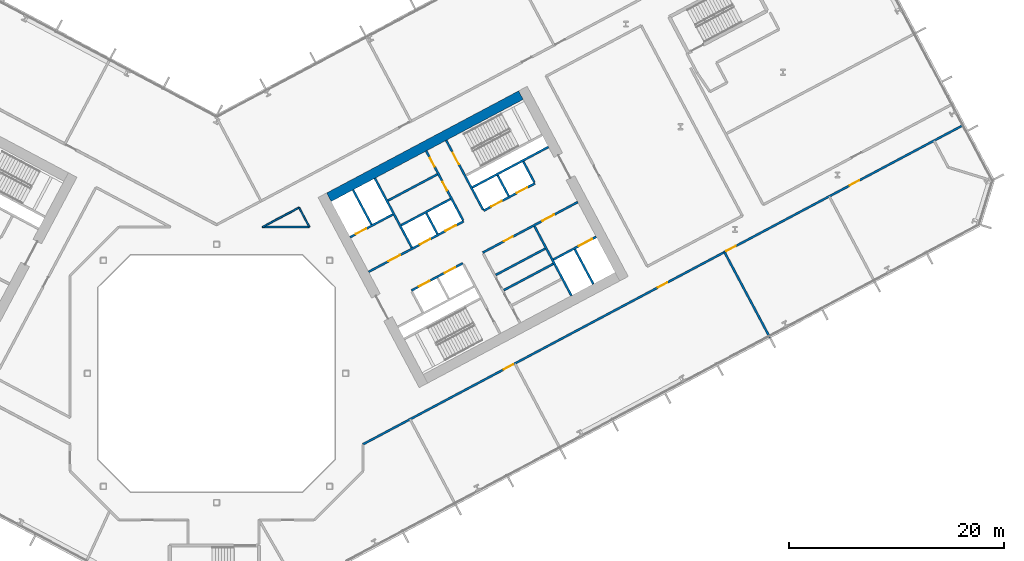
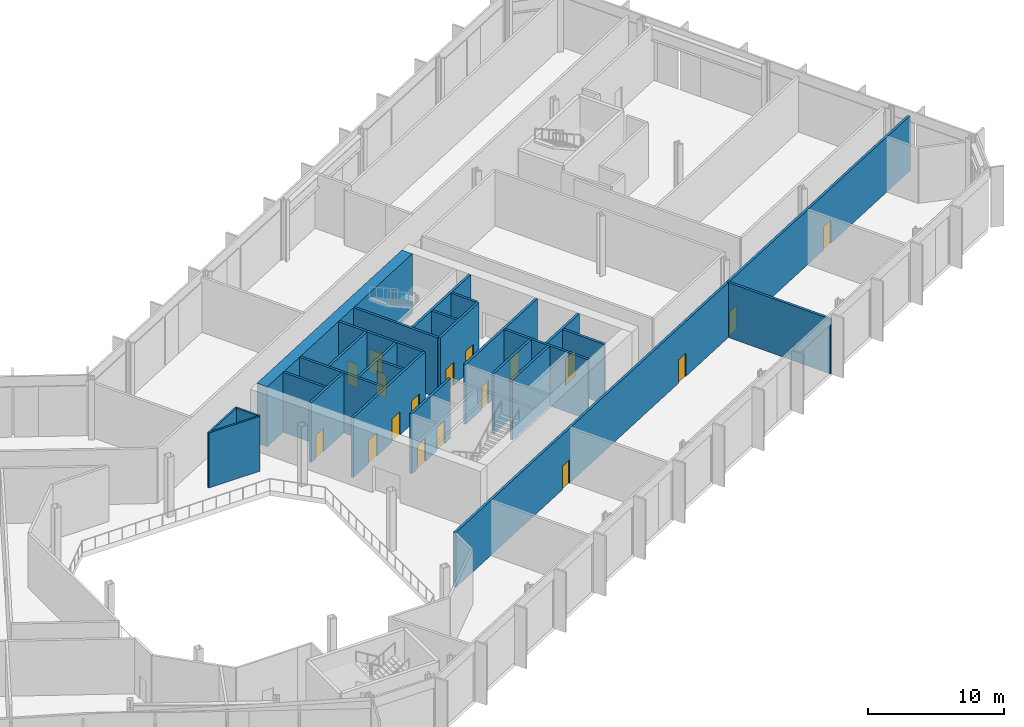
# One storey, part 16 of 31: 26 walls, 18 doors, 18 openings.
"""IFC4 building model written with IfcOpenShell, lengths in metres."""

import ifcopenshell
import ifcopenshell.guid

model = None  # the IFC model being written
_history = None  # IfcOwnerHistory: only IFC2X3 demands one
_inside = {}  # id of a spatial element -> (the spatial element, [elements in it])
_under = {}  # id of a project, library or spatial element -> (it, [spatial elements below it])
_declared = {}  # id of a project -> (the project, [libraries it declares])
_typed = {}  # id of a type object -> (the type object, [elements of that type])
_made_of = {}  # id of a material, layer set ... -> (it, [elements and type objects made of it])


def new_model(schema):
    """Start an empty IFC model of exactly this schema.

    Asked for "IFC4X3", IfcOpenShell would pick the latest addendum, in which some entities
    have other attributes; the version numbers below select the first issue.
    IFC2X3 requires an IfcOwnerHistory on every rooted entity: one is made here for all.
    """
    global model, _history
    if schema == "IFC4X3":
        model = ifcopenshell.file(schema_version=(4, 3, 0, 0))
    else:
        model = ifcopenshell.file(schema=schema)
    _inside.clear()
    _under.clear()
    _declared.clear()
    _typed.clear()
    _made_of.clear()
    _history = None
    if model.schema == "IFC2X3":
        org = make("IfcOrganization", Name="unknown")
        user = make(
            "IfcPersonAndOrganization",
            ThePerson=make("IfcPerson", FamilyName="unknown"),
            TheOrganization=org,
        )
        app = make(
            "IfcApplication",
            ApplicationDeveloper=org,
            Version="unknown",
            ApplicationFullName="unknown",
            ApplicationIdentifier="unknown",
        )
        _history = make(
            "IfcOwnerHistory",
            OwningUser=user,
            OwningApplication=app,
            ChangeAction="ADDED",
            CreationDate=0,
        )
    return model


def make(cls, **values):
    """One entity of the class cls with the attributes given. An attribute that is None is left unset."""
    return model.create_entity(
        cls, **{name: value for name, value in values.items() if value is not None}
    )


def rooted(cls, **values):
    """An entity with a GlobalId (a new one), such as an element, a storey or a relation."""
    return make(cls, GlobalId=ifcopenshell.guid.new(), OwnerHistory=_history, **values)


def si_unit(unit_type, name, prefix=None):
    """IfcSIUnit, for example si_unit("LENGTHUNIT", "METRE", prefix="MILLI")."""
    return make("IfcSIUnit", UnitType=unit_type, Prefix=prefix, Name=name)


def assignment(units):
    """IfcUnitAssignment: the units of a project."""
    return None if units is None else make("IfcUnitAssignment", Units=units)


def point(xyz):
    """IfcCartesianPoint."""
    return None if xyz is None else make("IfcCartesianPoint", Coordinates=xyz)


def direction(xyz):
    """IfcDirection."""
    return None if xyz is None else make("IfcDirection", DirectionRatios=xyz)


def frame(location, z_axis=None, x_axis=None):
    """IfcAxis2Placement3D, a coordinate frame: its origin and axes. An axis left out is left unset."""
    return make(
        "IfcAxis2Placement3D",
        Location=point(location),
        Axis=direction(z_axis),
        RefDirection=direction(x_axis),
    )


def frame_2d(location, x_axis=None):
    """IfcAxis2Placement2D, a coordinate frame in the plane: its origin and x axis."""
    return make(
        "IfcAxis2Placement2D", Location=point(location), RefDirection=direction(x_axis)
    )


def origin():
    """The frame at (0, 0, 0) with its axes left unset."""
    return frame((0.0, 0.0, 0.0))


def place(relative_to, where):
    """IfcLocalPlacement: puts the frame where relative to a parent placement (None: the world)."""
    return make(
        "IfcLocalPlacement", PlacementRelTo=relative_to, RelativePlacement=where
    )


def context(
    kind, dimensions, precision=None, world=None, true_north=None, identifier=None
):
    """IfcGeometricRepresentationContext, for example the 3D "Model" context."""
    return make(
        "IfcGeometricRepresentationContext",
        ContextIdentifier=identifier,
        ContextType=kind,
        CoordinateSpaceDimension=dimensions,
        Precision=precision,
        WorldCoordinateSystem=world,
        TrueNorth=true_north,
    )


def subcontext(parent, identifier, kind, view, scale=None):
    """IfcGeometricRepresentationSubContext, for example "Body" below "Model"."""
    return make(
        "IfcGeometricRepresentationSubContext",
        ContextIdentifier=identifier,
        ContextType=kind,
        ParentContext=parent,
        TargetScale=scale,
        TargetView=view,
    )


def project(units=None, contexts=None):
    """IfcProject with its units and contexts."""
    return rooted(
        "IfcProject",
        Name="project",
        RepresentationContexts=contexts,
        UnitsInContext=assignment(units),
    )


def spatial(cls, under=None, at=None, **own):
    """A site, building, storey or space (cls), placed at a placement, below another one or the project."""
    s = rooted(cls, ObjectPlacement=at, **own)
    if under is not None:
        _under.setdefault(under.id(), (under, []))[1].append(s)
    return s


def profile(cls, at=None, kind="AREA", **sizes):
    """A parametric profile (cls). Its sizes go by their IFC names, for example OverallWidth=200.0."""
    return make(cls, ProfileType=kind, Position=at, **sizes)


def rectangle(**sizes):
    """IfcRectangleProfileDef."""
    return profile("IfcRectangleProfileDef", **sizes)


def extrude(swept, where, along, depth):
    """IfcExtrudedAreaSolid: the profile swept, set in the frame where, extruded along a direction by depth."""
    return make(
        "IfcExtrudedAreaSolid",
        SweptArea=swept,
        Position=where,
        ExtrudedDirection=direction(along),
        Depth=depth,
    )


def shape(context_of_items, identifier, shape_type, items):
    """IfcShapeRepresentation: the items that make up one representation, for example the "Body"."""
    return make(
        "IfcShapeRepresentation",
        ContextOfItems=context_of_items,
        RepresentationIdentifier=identifier,
        RepresentationType=shape_type,
        Items=items,
    )


def material(Name=None, Category=None):
    """IfcMaterial."""
    return make("IfcMaterial", Name=Name, Category=Category)


def layer(
    of_material, thickness, ventilated=None, Name=None, Category=None, Priority=None
):
    """IfcMaterialLayer: one layer of a wall or slab, of a material (None: an air gap)."""
    return make(
        "IfcMaterialLayer",
        Material=of_material,
        LayerThickness=thickness,
        IsVentilated=ventilated,
        Name=Name,
        Category=Category,
        Priority=Priority,
    )


def layer_set(layers, Name=None):
    """IfcMaterialLayerSet."""
    return make("IfcMaterialLayerSet", MaterialLayers=layers, LayerSetName=Name)


def made_of(thing, what):
    """Note that an element or type object is made of a material, layer set ...; save() writes the relation."""
    if what is not None:
        _made_of.setdefault(what.id(), (what, []))[1].append(thing)
    return thing


def type_object(cls, material=None, **own):
    """A type object (cls), such as IfcWallType, which elements share."""
    return made_of(rooted(cls, **own), material)


def element(
    cls,
    number,
    at=None,
    inside=None,
    cuts=None,
    type_object=None,
    material=None,
    context=None,
    identifier="Body",
    shape_type=None,
    held_by="IfcProductDefinitionShape",
    body=None,
    shapes=None,
    **own,
):
    """One element of the class cls, such as IfcWall. Its Tag is "e" and its number.

    at: its placement. inside: the storey or other place that contains it. cuts: it is an
    opening in that element (IfcRelVoidsElement). A single representation is given by context,
    identifier, shape_type and body (its items); several are given by shapes. held_by: the class
    of the entity that holds the representations. save() writes the other relations.
    """
    e = rooted(cls, Tag="e%d" % number, ObjectPlacement=at, **own)
    if body is not None:
        shapes = [shape(context, identifier, shape_type, body)]
    if shapes is not None:
        e.Representation = make(held_by, Representations=shapes)
    if inside is not None:
        _inside.setdefault(inside.id(), (inside, []))[1].append(e)
    if cuts is not None:
        rooted(
            "IfcRelVoidsElement", RelatingBuildingElement=cuts, RelatedOpeningElement=e
        )
    if type_object is not None:
        _typed.setdefault(type_object.id(), (type_object, []))[1].append(e)
    return made_of(e, material)


def fill(opening, filler):
    """IfcRelFillsElement: the door or window that sits in an opening."""
    return rooted(
        "IfcRelFillsElement",
        RelatingOpeningElement=opening,
        RelatedBuildingElement=filler,
    )


def aggregate(whole, parts):
    """IfcRelAggregates: a whole, such as a stair, and the parts it consists of."""
    return rooted("IfcRelAggregates", RelatingObject=whole, RelatedObjects=parts)


def save(model, path):
    """Write the relations noted so far, then the file.

    IfcRelAggregates (storeys below a building ...), IfcRelContainedInSpatialStructure (elements
    in a storey), IfcRelDefinesByType, IfcRelAssociatesMaterial and IfcRelDeclares: one each for
    every whole, place, type object, material and project.
    """
    for whole, parts in _under.values():
        aggregate(whole, parts)
    for where, things in _inside.values():
        rooted(
            "IfcRelContainedInSpatialStructure",
            RelatedElements=things,
            RelatingStructure=where,
        )
    for kind, things in _typed.values():
        rooted("IfcRelDefinesByType", RelatedObjects=things, RelatingType=kind)
    for what, things in _made_of.values():
        rooted("IfcRelAssociatesMaterial", RelatedObjects=things, RelatingMaterial=what)
    for by, libraries in _declared.values():
        rooted("IfcRelDeclares", RelatingContext=by, RelatedDefinitions=libraries)
    model.write(path)


model = new_model("IFC4")

# Units and contexts
model_context = context("Model", 3, precision=1e-05, world=origin(), true_north=direction((0.0, 1.0)))
body_context = subcontext(model_context, "Body", "Model", "MODEL_VIEW")
ifc_project = project(units=[si_unit("LENGTHUNIT", "METRE"), si_unit("AREAUNIT", "SQUARE_METRE"), si_unit("VOLUMEUNIT", "CUBIC_METRE"), si_unit("PLANEANGLEUNIT", "RADIAN"), si_unit("MASSUNIT", "GRAM", prefix="KILO")], contexts=[model_context])

# Site, building, storey
site_placement = place(None, origin())
site = spatial("IfcSite", under=ifc_project, at=site_placement, CompositionType="ELEMENT")
building_placement = place(site_placement, origin())
building = spatial("IfcBuilding", under=site, at=building_placement, Name="Cormorant Relay Tower", CompositionType="ELEMENT")
storey_placement = place(building_placement, frame((0.0, 0.0, 33.800048828125)))
storey = spatial("IfcBuildingStorey", under=building, at=storey_placement, Name="L06", CompositionType="ELEMENT", Elevation=33.800048828125)

# Walls
ifc_material_1 = material(Name="Concrete 40 MPa", Category="concrete")
ifc_layer_1 = layer(ifc_material_1, 0.199951171875)
ifc_layer_set_1 = layer_set([ifc_layer_1], Name="Core internal wall 200")
wall_type_1 = type_object("IfcWallType", Name="Core internal wall 200", PredefinedType="SOLIDWALL", material=ifc_layer_set_1)
for number, where, z_axis, x_axis, name in (
    (1, (20.522216796875, 12.950439453125, 0.0), (0.0, 0.0, 1.0), (-0.469401318492, 0.882984938828, 0.0), "L06 core B shaft and room wall"),
    (2, (27.144287109375, 16.471435546875, 0.0), (0.0, 0.0, 1.0), (-0.469401318492, 0.882984938828, 0.0), "L06 core B shaft and room wall"),
):
    element("IfcWall", number, at=place(storey_placement, frame(where, z_axis=z_axis, x_axis=x_axis)), inside=storey, type_object=wall_type_1, Name=name, PredefinedType="SOLIDWALL", context=body_context, shape_type="SweptSolid", body=[
        extrude(rectangle(XDim=2.199951171875, YDim=0.199951171875, at=frame_2d((1.10009765625, 0.0))), origin(), (0.0, 0.0, 1.0), 5.39990234375),
    ])
for number, where, z_axis, x_axis, name in (
    (3, (26.692138671875, 7.73681640625, 0.0), (0.0, 0.0, 1.0), (0.882953967957, 0.469459572775, 0.0), "L06 core B shaft and room wall"),
    (4, (15.92626953125, 16.056396484375, 0.0), (0.0, 0.0, 1.0), (0.882953967957, 0.469459572775, 0.0), "L06 core B shaft and room wall"),
):
    element("IfcWall", number, at=place(storey_placement, frame(where, z_axis=z_axis, x_axis=x_axis)), inside=storey, type_object=wall_type_1, Name=name, PredefinedType="SOLIDWALL", context=body_context, shape_type="SweptSolid", body=[
        extrude(rectangle(XDim=5.199951171875, YDim=0.199951171875, at=frame_2d((2.60009765625, 0.0))), origin(), (0.0, 0.0, 1.0), 5.39990234375),
    ])
ifc_material_2 = material(Name="Concrete 50 MPa", Category="concrete")
ifc_layer_2 = layer(ifc_material_2, 0.199951171875)
ifc_layer_set_2 = layer_set([ifc_layer_2], Name="Core shaft wall 200")
wall_type_2 = type_object("IfcWallType", Name="Core shaft wall 200", PredefinedType="SHEAR", material=ifc_layer_set_2)
wall_1_placement = place(storey_placement, frame((14.39404296875, 13.825927734375, 0.0), z_axis=(0.0, 0.0, 1.0), x_axis=(-0.469494272526, 0.882935517501, 0.0)))
element("IfcWall", 5, at=wall_1_placement, inside=storey, type_object=wall_type_2, Name="L06 core B shaft wall", PredefinedType="SHEAR", context=body_context, shape_type="SweptSolid", body=[
    extrude(rectangle(XDim=3.64990234375, YDim=0.199951171875, at=frame_2d((1.824951171875, 0.0))), origin(), (0.0, 0.0, 1.0), 5.39990234375),
])
wall_2_placement = place(storey_placement, frame((18.138427734375, 11.682861328125, 0.0), z_axis=(0.0, 0.0, 1.0), x_axis=(-0.469480409012, 0.88294288918, 0.0)))
element("IfcWall", 6, at=wall_2_placement, inside=storey, type_object=wall_type_2, Name="L06 core B shaft wall", PredefinedType="SHEAR", context=body_context, shape_type="SweptSolid", body=[
    extrude(rectangle(XDim=7.300048828125, YDim=0.199951171875, at=frame_2d((3.64990234375, 0.0))), origin(), (0.0, 0.0, 1.0), 5.39990234375),
])

# Wall, openings, doors
wall_3_placement = place(storey_placement, frame((22.90625, 14.218017578125, 0.0), z_axis=(0.0, 0.0, 1.0), x_axis=(-0.469480409012, 0.88294288918, 0.0)))
wall_3 = element("IfcWall", 7, at=wall_3_placement, inside=storey, type_object=wall_type_2, Name="L06 core B shaft wall", PredefinedType="SHEAR", context=body_context, shape_type="SweptSolid", body=[
    extrude(rectangle(XDim=7.300048828125, YDim=0.199951171875, at=frame_2d((3.64990234375, 0.0))), origin(), (0.0, 0.0, 1.0), 5.39990234375),
])
opening_1_placement = place(wall_3_placement, frame((3.14990234375, 0.0, 0.0)))
opening_1 = element("IfcOpeningElement", 8, at=opening_1_placement, cuts=wall_3, Name="Opening CDD-090", PredefinedType="OPENING", context=body_context, shape_type="SweptSolid", body=[
    extrude(rectangle(XDim=0.89990234375, YDim=2.10009765625, at=frame_2d((0.449951171875, 1.050048828125))), frame((0.0, 0.10986328125, 0.0), z_axis=(0.0, -1.0, 0.0), x_axis=(1.0, 0.0, 0.0)), (0.0, 0.0, 1.0), 0.219970703125),
])
opening_2_placement = place(wall_3_placement, frame((5.64990234375, 0.0, 0.0)))
opening_2 = element("IfcOpeningElement", 9, at=opening_2_placement, cuts=wall_3, Name="Opening CDD-091", PredefinedType="OPENING", context=body_context, shape_type="SweptSolid", body=[
    extrude(rectangle(XDim=0.89990234375, YDim=2.10009765625, at=frame_2d((0.449951171875, 1.050048828125))), frame((0.0, 0.10986328125, 0.0), z_axis=(0.0, -1.0, 0.0), x_axis=(1.0, 0.0, 0.0)), (0.0, 0.0, 1.0), 0.219970703125),
])
ifc_material_3 = material(Name="Steel fire door", Category="steel")
door_type_1 = type_object("IfcDoorType", Name="Core room door 900x2100", OperationType="SINGLE_SWING_LEFT", PredefinedType="DOOR", material=ifc_material_3)
door_1_placement = place(opening_1_placement, origin())
door_1 = element("IfcDoor", 10, at=door_1_placement, inside=storey, type_object=door_type_1, Name="Core room door 900x2100", OperationType="SINGLE_SWING_RIGHT", OverallHeight=2.10009765625, OverallWidth=0.89990234375, PredefinedType="DOOR", context=body_context, shape_type="SweptSolid", body=[
    extrude(rectangle(XDim=0.89990234375, YDim=2.10009765625, at=frame_2d((0.449951171875, 1.050048828125))), frame((0.0, 0.02490234375, 0.0), z_axis=(0.0, -1.0, 0.0), x_axis=(1.0, 0.0, 0.0)), (0.0, 0.0, 1.0), 0.050048828125),
])
fill(opening_1, door_1)
door_2_placement = place(opening_2_placement, origin())
door_2 = element("IfcDoor", 11, at=door_2_placement, inside=storey, type_object=door_type_1, Name="Core room door 900x2100", OperationType="SINGLE_SWING_LEFT", OverallHeight=2.10009765625, OverallWidth=0.89990234375, PredefinedType="DOOR", context=body_context, shape_type="SweptSolid", body=[
    extrude(rectangle(XDim=0.89990234375, YDim=2.10009765625, at=frame_2d((0.449951171875, 1.050048828125))), frame((0.0, 0.02490234375, 0.0), z_axis=(0.0, -1.0, 0.0), x_axis=(1.0, 0.0, 0.0)), (0.0, 0.0, 1.0), 0.050048828125),
])
fill(opening_2, door_2)

# Wall, opening, door
wall_4_placement = place(storey_placement, frame((24.760498046875, 15.2041015625, 0.0), z_axis=(0.0, 0.0, 1.0), x_axis=(-0.469494272526, 0.882935517501, 0.0)))
wall_4 = element("IfcWall", 12, at=wall_4_placement, inside=storey, type_object=wall_type_2, Name="L06 core B shaft wall", PredefinedType="SHEAR", context=body_context, shape_type="SweptSolid", body=[
    extrude(rectangle(XDim=7.2998046875, YDim=0.199951171875, at=frame_2d((3.64990234375, 0.0))), origin(), (0.0, 0.0, 1.0), 5.39990234375),
])
opening_3_placement = place(wall_4_placement, frame((4.800048828125, 0.0, 0.0)))
opening_3 = element("IfcOpeningElement", 13, at=opening_3_placement, cuts=wall_4, Name="Opening CDB-022", PredefinedType="OPENING", context=body_context, shape_type="SweptSolid", body=[
    extrude(rectangle(XDim=1.199951171875, YDim=2.10009765625, at=frame_2d((0.60009765625, 1.050048828125))), frame((0.0, 0.10986328125, 0.0), z_axis=(0.0, -1.0, 0.0), x_axis=(1.0, 0.0, 0.0)), (0.0, 0.0, 1.0), 0.219970703125),
])
ifc_material_4 = material(Name="Steel fire door", Category="steel")
door_type_2 = type_object("IfcDoorType", Name="Core stair door 1200x2100", OperationType="SINGLE_SWING_LEFT", PredefinedType="DOOR", material=ifc_material_4)
door_3_placement = place(opening_3_placement, frame((1.199951171875, 0.0, 0.0), z_axis=(0.0, 0.0, 1.0), x_axis=(-1.0, 0.0, 0.0)))
door_3 = element("IfcDoor", 14, at=door_3_placement, inside=storey, type_object=door_type_2, Name="Core stair door 1200x2100", OperationType="SINGLE_SWING_RIGHT", OverallHeight=2.10009765625, OverallWidth=1.199951171875, PredefinedType="DOOR", context=body_context, shape_type="SweptSolid", body=[
    extrude(rectangle(XDim=1.199951171875, YDim=2.10009765625, at=frame_2d((0.60009765625, 1.050048828125))), frame((0.0, 0.02490234375, 0.0), z_axis=(0.0, -1.0, 0.0), x_axis=(1.0, 0.0, 0.0)), (0.0, 0.0, 1.0), 0.050048828125),
])
fill(opening_3, door_3)

# Walls
wall_5_placement = place(storey_placement, frame((32.968017578125, 7.222900390625, 0.0), z_axis=(0.0, 0.0, 1.0), x_axis=(-0.469480409012, 0.88294288918, 0.0)))
element("IfcWall", 15, at=wall_5_placement, inside=storey, type_object=wall_type_2, Name="L06 core B shaft wall", PredefinedType="SHEAR", context=body_context, shape_type="SweptSolid", body=[
    extrude(rectangle(XDim=7.300048828125, YDim=0.199951171875, at=frame_2d((3.64990234375, 0.0))), origin(), (0.0, 0.0, 1.0), 5.39990234375),
])
wall_6_placement = place(storey_placement, frame((29.5283203125, 17.739013671875, 0.0), z_axis=(0.0, 0.0, 1.0), x_axis=(-0.469401318492, 0.882984938828, 0.0)))
element("IfcWall", 16, at=wall_6_placement, inside=storey, type_object=wall_type_2, Name="L06 core B shaft wall", PredefinedType="SHEAR", context=body_context, shape_type="SweptSolid", body=[
    extrude(rectangle(XDim=2.199951171875, YDim=0.199951171875, at=frame_2d((1.10009765625, 0.0))), origin(), (0.0, 0.0, 1.0), 5.39990234375),
])
wall_7_placement = place(storey_placement, frame((34.998779296875, 8.302734375, 0.0), z_axis=(0.0, 0.0, 1.0), x_axis=(-0.4694665462, 0.882950260207, 0.0)))
element("IfcWall", 17, at=wall_7_placement, inside=storey, type_object=wall_type_2, Name="L06 core B shaft wall", PredefinedType="SHEAR", context=body_context, shape_type="SweptSolid", body=[
    extrude(rectangle(XDim=3.650146484375, YDim=0.199951171875, at=frame_2d((1.8251953125, 0.0))), origin(), (0.0, 0.0, 1.0), 5.39990234375),
])

# Wall, opening, door
wall_8_placement = place(storey_placement, frame((31.295654296875, 10.5810546875, 0.0), z_axis=(0.0, 0.0, 1.0), x_axis=(0.882960433586, 0.469447412093, 0.0)))
wall_8 = element("IfcWall", 18, at=wall_8_placement, inside=storey, type_object=wall_type_2, Name="L06 core B shaft wall", PredefinedType="SHEAR", context=body_context, shape_type="SweptSolid", body=[
    extrude(rectangle(XDim=4.5, YDim=0.199951171875, at=frame_2d((2.25, 0.0))), origin(), (0.0, 0.0, 1.0), 5.39990234375),
])
opening_4_placement = place(wall_8_placement, frame((2.64990234375, 0.0, 0.0)))
opening_4 = element("IfcOpeningElement", 19, at=opening_4_placement, cuts=wall_8, Name="Opening LD3-008", PredefinedType="OPENING", context=body_context, shape_type="SweptSolid", body=[
    extrude(rectangle(XDim=1.39990234375, YDim=2.39990234375, at=frame_2d((0.699951171875, 1.199951171875))), frame((0.0, 0.10986328125, 0.0), z_axis=(0.0, -1.0, 0.0), x_axis=(1.0, 0.0, 0.0)), (0.0, 0.0, 1.0), 0.219970703125),
])
ifc_material_5 = material(Name="Stainless steel 316", Category="steel")
door_type_3 = type_object("IfcDoorType", Name="Lift landing door 1400x2400", OperationType="DOUBLE_DOOR_SLIDING", PredefinedType="DOOR", material=ifc_material_5)
door_4_placement = place(opening_4_placement, origin())
door_4 = element("IfcDoor", 20, at=door_4_placement, inside=storey, type_object=door_type_3, Name="SV2 landing door", OperationType="DOUBLE_DOOR_SLIDING", OverallHeight=2.39990234375, OverallWidth=1.39990234375, PredefinedType="DOOR", context=body_context, shape_type="SweptSolid", body=[
    extrude(rectangle(XDim=1.39990234375, YDim=2.39990234375, at=frame_2d((0.699951171875, 1.199951171875))), frame((0.0, 0.02490234375, 0.0), z_axis=(0.0, -1.0, 0.0), x_axis=(1.0, 0.0, 0.0)), (0.0, 0.0, 1.0), 0.050048828125),
])
fill(opening_4, door_4)

# Wall
wall_9_placement = place(storey_placement, frame((25.94091796875, 9.149658203125, 0.0), z_axis=(0.0, 0.0, 1.0), x_axis=(0.882953967957, 0.469459572775, 0.0)))
element("IfcWall", 21, at=wall_9_placement, inside=storey, type_object=wall_type_2, Name="L06 core B shaft wall", PredefinedType="SHEAR", context=body_context, shape_type="SweptSolid", body=[
    extrude(rectangle(XDim=5.199951171875, YDim=0.199951171875, at=frame_2d((2.60009765625, 0.0))), origin(), (0.0, 0.0, 1.0), 5.39990234375),
])

# Wall, openings, doors
wall_10_placement = place(storey_placement, frame((18.103759765625, 7.70068359375, 0.0), z_axis=(0.0, 0.0, 1.0), x_axis=(0.882952937579, 0.469461510692, 0.0)))
wall_10 = element("IfcWall", 22, at=wall_10_placement, inside=storey, type_object=wall_type_2, Name="L06 core B shaft wall", PredefinedType="SHEAR", context=body_context, shape_type="SweptSolid", body=[
    extrude(rectangle(XDim=5.400146484375, YDim=0.199951171875, at=frame_2d((2.7001953125, 0.0))), origin(), (0.0, 0.0, 1.0), 5.39990234375),
])
opening_5_placement = place(wall_10_placement, frame((0.800048828125, 0.0, 0.0)))
opening_5 = element("IfcOpeningElement", 23, at=opening_5_placement, cuts=wall_10, Name="Opening LD1-024", PredefinedType="OPENING", context=body_context, shape_type="SweptSolid", body=[
    extrude(rectangle(XDim=1.10009765625, YDim=2.10009765625, at=frame_2d((0.550048828125, 1.050048828125))), frame((0.0, 0.10986328125, 0.0), z_axis=(0.0, -1.0, 0.0), x_axis=(1.0, 0.0, 0.0)), (0.0, 0.0, 1.0), 0.219970703125),
])
opening_6_placement = place(wall_10_placement, frame((3.5, 0.0, 0.0)))
opening_6 = element("IfcOpeningElement", 24, at=opening_6_placement, cuts=wall_10, Name="Opening LD1-025", PredefinedType="OPENING", context=body_context, shape_type="SweptSolid", body=[
    extrude(rectangle(XDim=1.10009765625, YDim=2.10009765625, at=frame_2d((0.550048828125, 1.050048828125))), frame((0.0, 0.10986328125, 0.0), z_axis=(0.0, -1.0, 0.0), x_axis=(1.0, 0.0, 0.0)), (0.0, 0.0, 1.0), 0.219970703125),
])
ifc_material_6 = material(Name="Stainless steel 316", Category="steel")
door_type_4 = type_object("IfcDoorType", Name="Lift landing door 1100x2100", OperationType="DOUBLE_DOOR_SLIDING", PredefinedType="DOOR", material=ifc_material_6)
door_5_placement = place(opening_5_placement, origin())
door_5 = element("IfcDoor", 25, at=door_5_placement, inside=storey, type_object=door_type_4, Name="LR5 landing door", OperationType="DOUBLE_DOOR_SLIDING", OverallHeight=2.10009765625, OverallWidth=1.10009765625, PredefinedType="DOOR", context=body_context, shape_type="SweptSolid", body=[
    extrude(rectangle(XDim=1.10009765625, YDim=2.10009765625, at=frame_2d((0.550048828125, 1.050048828125))), frame((0.0, 0.02490234375, 0.0), z_axis=(0.0, -1.0, 0.0), x_axis=(1.0, 0.0, 0.0)), (0.0, 0.0, 1.0), 0.050048828125),
])
fill(opening_5, door_5)
door_6_placement = place(opening_6_placement, origin())
door_6 = element("IfcDoor", 26, at=door_6_placement, inside=storey, type_object=door_type_4, Name="LR6 landing door", OperationType="DOUBLE_DOOR_SLIDING", OverallHeight=2.10009765625, OverallWidth=1.10009765625, PredefinedType="DOOR", context=body_context, shape_type="SweptSolid", body=[
    extrude(rectangle(XDim=1.10009765625, YDim=2.10009765625, at=frame_2d((0.550048828125, 1.050048828125))), frame((0.0, 0.02490234375, 0.0), z_axis=(0.0, -1.0, 0.0), x_axis=(1.0, 0.0, 0.0)), (0.0, 0.0, 1.0), 0.050048828125),
])
fill(opening_6, door_6)

wall_11_placement = place(storey_placement, frame((24.72607421875, 11.2216796875, 0.0), z_axis=(0.0, 0.0, 1.0), x_axis=(0.882940221191, 0.469485426614, 0.0)))
wall_11 = element("IfcWall", 27, at=wall_11_placement, inside=storey, type_object=wall_type_2, Name="L06 core B shaft wall", PredefinedType="SHEAR", context=body_context, shape_type="SweptSolid", body=[
    extrude(rectangle(XDim=10.0, YDim=0.199951171875, at=frame_2d((5.0, 0.0))), origin(), (0.0, 0.0, 1.0), 5.39990234375),
])
opening_7_placement = place(wall_11_placement, frame((6.300048828125, 0.0, 0.0)))
opening_7 = element("IfcOpeningElement", 28, at=opening_7_placement, cuts=wall_11, Name="Opening CDC-016", PredefinedType="OPENING", context=body_context, shape_type="SweptSolid", body=[
    extrude(rectangle(XDim=1.199951171875, YDim=2.10009765625, at=frame_2d((0.60009765625, 1.050048828125))), frame((0.0, 0.10986328125, 0.0), z_axis=(0.0, -1.0, 0.0), x_axis=(1.0, 0.0, 0.0)), (0.0, 0.0, 1.0), 0.219970703125),
])
opening_8_placement = place(wall_11_placement, frame((2.25, 0.0, 0.0)))
opening_8 = element("IfcOpeningElement", 29, at=opening_8_placement, cuts=wall_11, Name="Opening CDD-089", PredefinedType="OPENING", context=body_context, shape_type="SweptSolid", body=[
    extrude(rectangle(XDim=0.89990234375, YDim=2.10009765625, at=frame_2d((0.449951171875, 1.050048828125))), frame((0.0, 0.10986328125, 0.0), z_axis=(0.0, -1.0, 0.0), x_axis=(1.0, 0.0, 0.0)), (0.0, 0.0, 1.0), 0.219970703125),
])
ifc_material_7 = material(Name="Steel fire door", Category="steel")
door_type_5 = type_object("IfcDoorType", Name="Core lobby door 1200x2100", OperationType="SINGLE_SWING_LEFT", PredefinedType="DOOR", material=ifc_material_7)
door_7_placement = place(opening_7_placement, frame((1.199951171875, 0.0, 0.0), z_axis=(0.0, 0.0, 1.0), x_axis=(-1.0, 0.0, 0.0)))
door_7 = element("IfcDoor", 30, at=door_7_placement, inside=storey, type_object=door_type_5, Name="Core lobby door 1200x2100", OperationType="SINGLE_SWING_RIGHT", OverallHeight=2.10009765625, OverallWidth=1.199951171875, PredefinedType="DOOR", context=body_context, shape_type="SweptSolid", body=[
    extrude(rectangle(XDim=1.199951171875, YDim=2.10009765625, at=frame_2d((0.60009765625, 1.050048828125))), frame((0.0, 0.02490234375, 0.0), z_axis=(0.0, -1.0, 0.0), x_axis=(1.0, 0.0, 0.0)), (0.0, 0.0, 1.0), 0.050048828125),
])
fill(opening_7, door_7)
door_8_placement = place(opening_8_placement, frame((0.89990234375, 0.0, 0.0), z_axis=(0.0, 0.0, 1.0), x_axis=(-1.0, 0.0, 0.0)))
door_8 = element("IfcDoor", 31, at=door_8_placement, inside=storey, type_object=door_type_1, Name="Core room door 900x2100", OperationType="SINGLE_SWING_RIGHT", OverallHeight=2.10009765625, OverallWidth=0.89990234375, PredefinedType="DOOR", context=body_context, shape_type="SweptSolid", body=[
    extrude(rectangle(XDim=0.89990234375, YDim=2.10009765625, at=frame_2d((0.449951171875, 1.050048828125))), frame((0.0, 0.02490234375, 0.0), z_axis=(0.0, -1.0, 0.0), x_axis=(1.0, 0.0, 0.0)), (0.0, 0.0, 1.0), 0.050048828125),
])
fill(opening_8, door_8)

wall_12_placement = place(storey_placement, frame((14.123779296875, 9.43505859375, 0.0), z_axis=(0.0, 0.0, 1.0), x_axis=(0.882940221191, 0.469485426614, 0.0)))
wall_12 = element("IfcWall", 32, at=wall_12_placement, inside=storey, type_object=wall_type_2, Name="L06 core B shaft wall", PredefinedType="SHEAR", context=body_context, shape_type="SweptSolid", body=[
    extrude(rectangle(XDim=10.0, YDim=0.199951171875, at=frame_2d((5.0, 0.0))), origin(), (0.0, 0.0, 1.0), 5.39990234375),
])
opening_9_placement = place(wall_12_placement, frame((2.10009765625, 0.0, 0.0)))
opening_9 = element("IfcOpeningElement", 33, at=opening_9_placement, cuts=wall_12, Name="Opening CDC-015", PredefinedType="OPENING", context=body_context, shape_type="SweptSolid", body=[
    extrude(rectangle(XDim=1.199951171875, YDim=2.10009765625, at=frame_2d((0.60009765625, 1.050048828125))), frame((0.0, 0.10986328125, 0.0), z_axis=(0.0, -1.0, 0.0), x_axis=(1.0, 0.0, 0.0)), (0.0, 0.0, 1.0), 0.219970703125),
])
opening_10_placement = place(wall_12_placement, frame((5.39990234375, 0.0, 0.0)))
opening_10 = element("IfcOpeningElement", 34, at=opening_10_placement, cuts=wall_12, Name="Opening LD1-020", PredefinedType="OPENING", context=body_context, shape_type="SweptSolid", body=[
    extrude(rectangle(XDim=1.10009765625, YDim=2.10009765625, at=frame_2d((0.550048828125, 1.050048828125))), frame((0.0, 0.10986328125, 0.0), z_axis=(0.0, -1.0, 0.0), x_axis=(1.0, 0.0, 0.0)), (0.0, 0.0, 1.0), 0.219970703125),
])
opening_11_placement = place(wall_12_placement, frame((8.10009765625, 0.0, 0.0)))
opening_11 = element("IfcOpeningElement", 35, at=opening_11_placement, cuts=wall_12, Name="Opening LD1-021", PredefinedType="OPENING", context=body_context, shape_type="SweptSolid", body=[
    extrude(rectangle(XDim=1.10009765625, YDim=2.10009765625, at=frame_2d((0.550048828125, 1.050048828125))), frame((0.0, 0.10986328125, 0.0), z_axis=(0.0, -1.0, 0.0), x_axis=(1.0, 0.0, 0.0)), (0.0, 0.0, 1.0), 0.219970703125),
])
door_9_placement = place(opening_9_placement, origin())
door_9 = element("IfcDoor", 36, at=door_9_placement, inside=storey, type_object=door_type_5, Name="Core lobby door 1200x2100", OperationType="SINGLE_SWING_RIGHT", OverallHeight=2.10009765625, OverallWidth=1.199951171875, PredefinedType="DOOR", context=body_context, shape_type="SweptSolid", body=[
    extrude(rectangle(XDim=1.199951171875, YDim=2.10009765625, at=frame_2d((0.60009765625, 1.050048828125))), frame((0.0, 0.02490234375, 0.0), z_axis=(0.0, -1.0, 0.0), x_axis=(1.0, 0.0, 0.0)), (0.0, 0.0, 1.0), 0.050048828125),
])
fill(opening_9, door_9)
door_10_placement = place(opening_10_placement, origin())
door_10 = element("IfcDoor", 37, at=door_10_placement, inside=storey, type_object=door_type_4, Name="LR1 landing door", OperationType="DOUBLE_DOOR_SLIDING", OverallHeight=2.10009765625, OverallWidth=1.10009765625, PredefinedType="DOOR", context=body_context, shape_type="SweptSolid", body=[
    extrude(rectangle(XDim=1.10009765625, YDim=2.10009765625, at=frame_2d((0.550048828125, 1.050048828125))), frame((0.0, 0.02490234375, 0.0), z_axis=(0.0, -1.0, 0.0), x_axis=(1.0, 0.0, 0.0)), (0.0, 0.0, 1.0), 0.050048828125),
])
fill(opening_10, door_10)
door_11_placement = place(opening_11_placement, origin())
door_11 = element("IfcDoor", 38, at=door_11_placement, inside=storey, type_object=door_type_4, Name="LR2 landing door", OperationType="DOUBLE_DOOR_SLIDING", OverallHeight=2.10009765625, OverallWidth=1.10009765625, PredefinedType="DOOR", context=body_context, shape_type="SweptSolid", body=[
    extrude(rectangle(XDim=1.10009765625, YDim=2.10009765625, at=frame_2d((0.550048828125, 1.050048828125))), frame((0.0, 0.02490234375, 0.0), z_axis=(0.0, -1.0, 0.0), x_axis=(1.0, 0.0, 0.0)), (0.0, 0.0, 1.0), 0.050048828125),
])
fill(opening_11, door_11)

wall_13_placement = place(storey_placement, frame((24.807373046875, 15.11572265625, 0.0), z_axis=(0.0, 0.0, 1.0), x_axis=(0.882942972946, 0.469480251476, 0.0)))
wall_13 = element("IfcWall", 39, at=wall_13_placement, inside=storey, type_object=wall_type_2, Name="L06 core B shaft wall", PredefinedType="SHEAR", context=body_context, shape_type="SweptSolid", body=[
    extrude(rectangle(XDim=5.39990234375, YDim=0.199951171875, at=frame_2d((2.699951171875, 0.0))), origin(), (0.0, 0.0, 1.0), 5.39990234375),
])
opening_12_placement = place(wall_13_placement, frame((0.800048828125, 0.0, 0.0)))
opening_12 = element("IfcOpeningElement", 40, at=opening_12_placement, cuts=wall_13, Name="Opening LD1-022", PredefinedType="OPENING", context=body_context, shape_type="SweptSolid", body=[
    extrude(rectangle(XDim=1.10009765625, YDim=2.10009765625, at=frame_2d((0.550048828125, 1.050048828125))), frame((0.0, 0.10986328125, 0.0), z_axis=(0.0, -1.0, 0.0), x_axis=(1.0, 0.0, 0.0)), (0.0, 0.0, 1.0), 0.219970703125),
])
opening_13_placement = place(wall_13_placement, frame((3.5, 0.0, 0.0)))
opening_13 = element("IfcOpeningElement", 41, at=opening_13_placement, cuts=wall_13, Name="Opening LD1-023", PredefinedType="OPENING", context=body_context, shape_type="SweptSolid", body=[
    extrude(rectangle(XDim=1.10009765625, YDim=2.10009765625, at=frame_2d((0.550048828125, 1.050048828125))), frame((0.0, 0.10986328125, 0.0), z_axis=(0.0, -1.0, 0.0), x_axis=(1.0, 0.0, 0.0)), (0.0, 0.0, 1.0), 0.219970703125),
])
door_12_placement = place(opening_12_placement, origin())
door_12 = element("IfcDoor", 42, at=door_12_placement, inside=storey, type_object=door_type_4, Name="LR3 landing door", OperationType="DOUBLE_DOOR_SLIDING", OverallHeight=2.10009765625, OverallWidth=1.10009765625, PredefinedType="DOOR", context=body_context, shape_type="SweptSolid", body=[
    extrude(rectangle(XDim=1.10009765625, YDim=2.10009765625, at=frame_2d((0.550048828125, 1.050048828125))), frame((0.0, 0.02490234375, 0.0), z_axis=(0.0, -1.0, 0.0), x_axis=(1.0, 0.0, 0.0)), (0.0, 0.0, 1.0), 0.050048828125),
])
fill(opening_12, door_12)
door_13_placement = place(opening_13_placement, origin())
door_13 = element("IfcDoor", 43, at=door_13_placement, inside=storey, type_object=door_type_4, Name="LR4 landing door", OperationType="DOUBLE_DOOR_SLIDING", OverallHeight=2.10009765625, OverallWidth=1.10009765625, PredefinedType="DOOR", context=body_context, shape_type="SweptSolid", body=[
    extrude(rectangle(XDim=1.10009765625, YDim=2.10009765625, at=frame_2d((0.550048828125, 1.050048828125))), frame((0.0, 0.02490234375, 0.0), z_axis=(0.0, -1.0, 0.0), x_axis=(1.0, 0.0, 0.0)), (0.0, 0.0, 1.0), 0.050048828125),
])
fill(opening_13, door_13)

# Walls
wall_14_placement = place(storey_placement, frame((17.146728515625, 13.7607421875, 0.0), z_axis=(0.0, 0.0, 1.0), x_axis=(0.882964314875, 0.469440111896, 0.0)))
element("IfcWall", 44, at=wall_14_placement, inside=storey, type_object=wall_type_2, Name="L06 core B shaft wall", PredefinedType="SHEAR", context=body_context, shape_type="SweptSolid", body=[
    extrude(rectangle(XDim=5.2001953125, YDim=0.199951171875, at=frame_2d((2.60009765625, 0.0))), origin(), (0.0, 0.0, 1.0), 5.39990234375),
])
wall_15_placement = place(storey_placement, frame((23.76904296875, 17.28173828125, 0.0), z_axis=(0.0, 0.0, 1.0), x_axis=(0.882940221191, 0.469485426614, 0.0)))
element("IfcWall", 45, at=wall_15_placement, inside=storey, type_object=wall_type_2, Name="L06 core B shaft wall", PredefinedType="SHEAR", context=body_context, shape_type="SweptSolid", body=[
    extrude(rectangle(XDim=8.0, YDim=0.199951171875, at=frame_2d((4.0, 0.0))), origin(), (0.0, 0.0, 1.0), 5.39990234375),
])

# Wall, opening, door
wall_16_placement = place(storey_placement, frame((12.41015625, 12.657958984375, 0.0), z_axis=(0.0, 0.0, 1.0), x_axis=(0.8829484765, 0.469469900894, 0.0)))
wall_16 = element("IfcWall", 46, at=wall_16_placement, inside=storey, type_object=wall_type_2, Name="L06 core B shaft wall", PredefinedType="SHEAR", context=body_context, shape_type="SweptSolid", body=[
    extrude(rectangle(XDim=4.499755859375, YDim=0.199951171875, at=frame_2d((2.25, 0.0))), origin(), (0.0, 0.0, 1.0), 5.39990234375),
])
opening_14_placement = place(wall_16_placement, frame((0.60009765625, 0.0, 0.0)))
opening_14 = element("IfcOpeningElement", 47, at=opening_14_placement, cuts=wall_16, Name="Opening LD1-026", PredefinedType="OPENING", context=body_context, shape_type="SweptSolid", body=[
    extrude(rectangle(XDim=1.10009765625, YDim=2.10009765625, at=frame_2d((0.550048828125, 1.050048828125))), frame((0.0, 0.10986328125, 0.0), z_axis=(0.0, -1.0, 0.0), x_axis=(1.0, 0.0, 0.0)), (0.0, 0.0, 1.0), 0.219970703125),
])
door_14_placement = place(opening_14_placement, origin())
door_14 = element("IfcDoor", 48, at=door_14_placement, inside=storey, type_object=door_type_4, Name="FF2 landing door", OperationType="DOUBLE_DOOR_SLIDING", OverallHeight=2.10009765625, OverallWidth=1.10009765625, PredefinedType="DOOR", context=body_context, shape_type="SweptSolid", body=[
    extrude(rectangle(XDim=1.10009765625, YDim=2.10009765625, at=frame_2d((0.550048828125, 1.050048828125))), frame((0.0, 0.02490234375, 0.0), z_axis=(0.0, -1.0, 0.0), x_axis=(1.0, 0.0, 0.0)), (0.0, 0.0, 1.0), 0.050048828125),
])
fill(opening_14, door_14)

# Wall
ifc_material_8 = material(Name="Concrete 70 MPa", Category="concrete")
ifc_layer_3 = layer(ifc_material_8, 0.89990234375)
ifc_layer_set_3 = layer_set([ifc_layer_3], Name="Core wall 900")
wall_type_3 = type_object("IfcWallType", Name="Core wall 900", PredefinedType="SHEAR", material=ifc_layer_set_3)
wall_17_placement = place(storey_placement, frame((10.4384765625, 16.3662109375, 0.0), z_axis=(0.0, 0.0, 1.0), x_axis=(0.88294509198, 0.469476266226, 0.0)))
element("IfcWall", 49, at=wall_17_placement, inside=storey, type_object=wall_type_3, Name="L06 core B wall", PredefinedType="SHEAR", context=body_context, shape_type="SweptSolid", body=[
    extrude(rectangle(XDim=20.199951171875, YDim=0.89990234375, at=frame_2d((10.10009765625, 0.0))), origin(), (0.0, 0.0, 1.0), 5.39990234375),
])

# Wall, openings, doors
ifc_material_9 = material(Name="Fire-rated gypsum board partition")
ifc_layer_4 = layer(ifc_material_9, 0.199951171875)
ifc_layer_set_4 = layer_set([ifc_layer_4], Name="Fire-rated gypsum partition 200")
wall_type_4 = type_object("IfcWallType", Name="Fire-rated gypsum partition 200", PredefinedType="PARTITIONING", material=ifc_layer_set_4)
wall_18_placement = place(storey_placement, frame((69.47509765625, 23.1259765625, 0.0), z_axis=(0.0, 0.0, 1.0), x_axis=(-0.882944287046, -0.469477780063, 0.0)))
wall_18 = element("IfcWall", 50, at=wall_18_placement, inside=storey, type_object=wall_type_4, Name="wall/L06/part/33", PredefinedType="PARTITIONING", context=body_context, shape_type="SweptSolid", body=[
    extrude(rectangle(XDim=63.28515625, YDim=0.199951171875, at=frame_2d((31.642578125, 0.0))), origin(), (0.0, 0.0, 1.0), 4.949951171875),
])
opening_15_placement = place(wall_18_placement, frame((47.469970703125, 0.0, 0.0)))
opening_15 = element("IfcOpeningElement", 51, at=opening_15_placement, cuts=wall_18, Name="Opening FD1-030", PredefinedType="OPENING", context=body_context, shape_type="SweptSolid", body=[
    extrude(rectangle(XDim=1.0, YDim=2.10009765625, at=frame_2d((0.5, 1.050048828125))), frame((0.0, 0.10986328125, 0.0), z_axis=(0.0, -1.0, 0.0), x_axis=(1.0, 0.0, 0.0)), (0.0, 0.0, 1.0), 0.219970703125),
])
opening_16_placement = place(wall_18_placement, frame((31.27099609375, 0.0, 0.0)))
opening_16 = element("IfcOpeningElement", 52, at=opening_16_placement, cuts=wall_18, Name="Opening FD1-031", PredefinedType="OPENING", context=body_context, shape_type="SweptSolid", body=[
    extrude(rectangle(XDim=1.0, YDim=2.10009765625, at=frame_2d((0.5, 1.050048828125))), frame((0.0, 0.10986328125, 0.0), z_axis=(0.0, -1.0, 0.0), x_axis=(1.0, 0.0, 0.0)), (0.0, 0.0, 1.0), 0.219970703125),
])
opening_17_placement = place(wall_18_placement, frame((24.070068359375, 0.0, 0.0)))
opening_17 = element("IfcOpeningElement", 53, at=opening_17_placement, cuts=wall_18, Name="Opening FD1-032", PredefinedType="OPENING", context=body_context, shape_type="SweptSolid", body=[
    extrude(rectangle(XDim=1.0, YDim=2.10009765625, at=frame_2d((0.5, 1.050048828125))), frame((0.0, 0.10986328125, 0.0), z_axis=(0.0, -1.0, 0.0), x_axis=(1.0, 0.0, 0.0)), (0.0, 0.0, 1.0), 0.219970703125),
])
opening_18_placement = place(wall_18_placement, frame((11.071044921875, 0.0, 0.0)))
opening_18 = element("IfcOpeningElement", 54, at=opening_18_placement, cuts=wall_18, Name="Opening FD1-033", PredefinedType="OPENING", context=body_context, shape_type="SweptSolid", body=[
    extrude(rectangle(XDim=1.0, YDim=2.10009765625, at=frame_2d((0.5, 1.050048828125))), frame((0.0, 0.10986328125, 0.0), z_axis=(0.0, -1.0, 0.0), x_axis=(1.0, 0.0, 0.0)), (0.0, 0.0, 1.0), 0.219970703125),
])
ifc_material_10 = material(Name="Fire-rated steel door", Category="steel")
door_type_6 = type_object("IfcDoorType", Name="Fire door 1000 x 2100", OperationType="SINGLE_SWING_LEFT", PredefinedType="DOOR", material=ifc_material_10)
door_15_placement = place(opening_15_placement, origin())
door_15 = element("IfcDoor", 55, at=door_15_placement, inside=storey, type_object=door_type_6, Name="door/L06/11", OperationType="SINGLE_SWING_LEFT", OverallHeight=2.10009765625, OverallWidth=1.0, PredefinedType="DOOR", context=body_context, shape_type="SweptSolid", body=[
    extrude(rectangle(XDim=1.0, YDim=2.10009765625, at=frame_2d((0.5, 1.050048828125))), frame((0.0, 0.02490234375, 0.0), z_axis=(0.0, -1.0, 0.0), x_axis=(1.0, 0.0, 0.0)), (0.0, 0.0, 1.0), 0.050048828125),
])
fill(opening_15, door_15)
door_16_placement = place(opening_16_placement, origin())
door_16 = element("IfcDoor", 56, at=door_16_placement, inside=storey, type_object=door_type_6, Name="door/L06/12", OperationType="SINGLE_SWING_RIGHT", OverallHeight=2.10009765625, OverallWidth=1.0, PredefinedType="DOOR", context=body_context, shape_type="SweptSolid", body=[
    extrude(rectangle(XDim=1.0, YDim=2.10009765625, at=frame_2d((0.5, 1.050048828125))), frame((0.0, 0.02490234375, 0.0), z_axis=(0.0, -1.0, 0.0), x_axis=(1.0, 0.0, 0.0)), (0.0, 0.0, 1.0), 0.050048828125),
])
fill(opening_16, door_16)
door_17_placement = place(opening_17_placement, origin())
door_17 = element("IfcDoor", 57, at=door_17_placement, inside=storey, type_object=door_type_6, Name="door/L06/13", OperationType="SINGLE_SWING_RIGHT", OverallHeight=2.10009765625, OverallWidth=1.0, PredefinedType="DOOR", context=body_context, shape_type="SweptSolid", body=[
    extrude(rectangle(XDim=1.0, YDim=2.10009765625, at=frame_2d((0.5, 1.050048828125))), frame((0.0, 0.02490234375, 0.0), z_axis=(0.0, -1.0, 0.0), x_axis=(1.0, 0.0, 0.0)), (0.0, 0.0, 1.0), 0.050048828125),
])
fill(opening_17, door_17)
door_18_placement = place(opening_18_placement, origin())
door_18 = element("IfcDoor", 58, at=door_18_placement, inside=storey, type_object=door_type_6, Name="door/L06/14", OperationType="SINGLE_SWING_RIGHT", OverallHeight=2.10009765625, OverallWidth=1.0, PredefinedType="DOOR", context=body_context, shape_type="SweptSolid", body=[
    extrude(rectangle(XDim=1.0, YDim=2.10009765625, at=frame_2d((0.5, 1.050048828125))), frame((0.0, 0.02490234375, 0.0), z_axis=(0.0, -1.0, 0.0), x_axis=(1.0, 0.0, 0.0)), (0.0, 0.0, 1.0), 0.050048828125),
])
fill(opening_18, door_18)

# Walls
wall_19_placement = place(storey_placement, frame((47.18310546875, 11.27197265625, 0.0), z_axis=(0.0, 0.0, 1.0), x_axis=(0.469454635748, -0.882956592916, 0.0)))
element("IfcWall", 59, at=wall_19_placement, inside=storey, type_object=wall_type_4, Name="wall/L06/part/40", PredefinedType="PARTITIONING", context=body_context, shape_type="SweptSolid", body=[
    extrude(rectangle(XDim=9.00146484375, YDim=0.199951171875, at=frame_2d((4.500732421875, 0.0))), origin(), (0.0, 0.0, 1.0), 4.949951171875),
])
ifc_material_11 = material(Name="Gypsum board partition")
ifc_layer_5 = layer(ifc_material_11, 0.14990234375)
ifc_layer_set_5 = layer_set([ifc_layer_5], Name="Gypsum board partition 150")
wall_type_5 = type_object("IfcWallType", Name="Gypsum board partition 150", PredefinedType="PARTITIONING", material=ifc_layer_set_5)
wall_20_placement = place(storey_placement, frame((8.6279296875, 13.597900390625, 0.0), z_axis=(0.0, 0.0, 1.0), x_axis=(-0.469498231646, 0.882933412258, 0.0)))
element("IfcWall", 60, at=wall_20_placement, inside=storey, type_object=wall_type_5, Name="wall/L06/part/62", PredefinedType="PARTITIONING", context=body_context, shape_type="SweptSolid", body=[
    extrude(rectangle(XDim=2.046630859375, YDim=0.14990234375, at=frame_2d((1.0234375, 0.0))), origin(), (0.0, 0.0, 1.0), 4.949951171875),
])
wall_21_placement = place(storey_placement, frame((7.6669921875, 15.405029296875, 0.0), z_axis=(0.0, 0.0, 1.0), x_axis=(-0.88290372476, -0.469554057384, 0.0)))
element("IfcWall", 61, at=wall_21_placement, inside=storey, type_object=wall_type_5, Name="wall/L06/part/63", PredefinedType="PARTITIONING", context=body_context, shape_type="SweptSolid", body=[
    extrude(rectangle(XDim=3.8486328125, YDim=0.14990234375, at=frame_2d((1.92431640625, 0.0))), origin(), (0.0, 0.0, 1.0), 4.949951171875),
])
wall_22_placement = place(storey_placement, frame((4.26904296875, 13.597900390625, 0.0), z_axis=(0.0, 0.0, 1.0), x_axis=(1.0, 0.0, 0.0)))
element("IfcWall", 62, at=wall_22_placement, inside=storey, type_object=wall_type_5, Name="wall/L06/part/64", PredefinedType="PARTITIONING", context=body_context, shape_type="SweptSolid", body=[
    extrude(rectangle(XDim=4.35888671875, YDim=0.14990234375, at=frame_2d((2.179443359375, 0.0))), origin(), (0.0, 0.0, 1.0), 4.949951171875),
])

save(model, "model.ifc")
